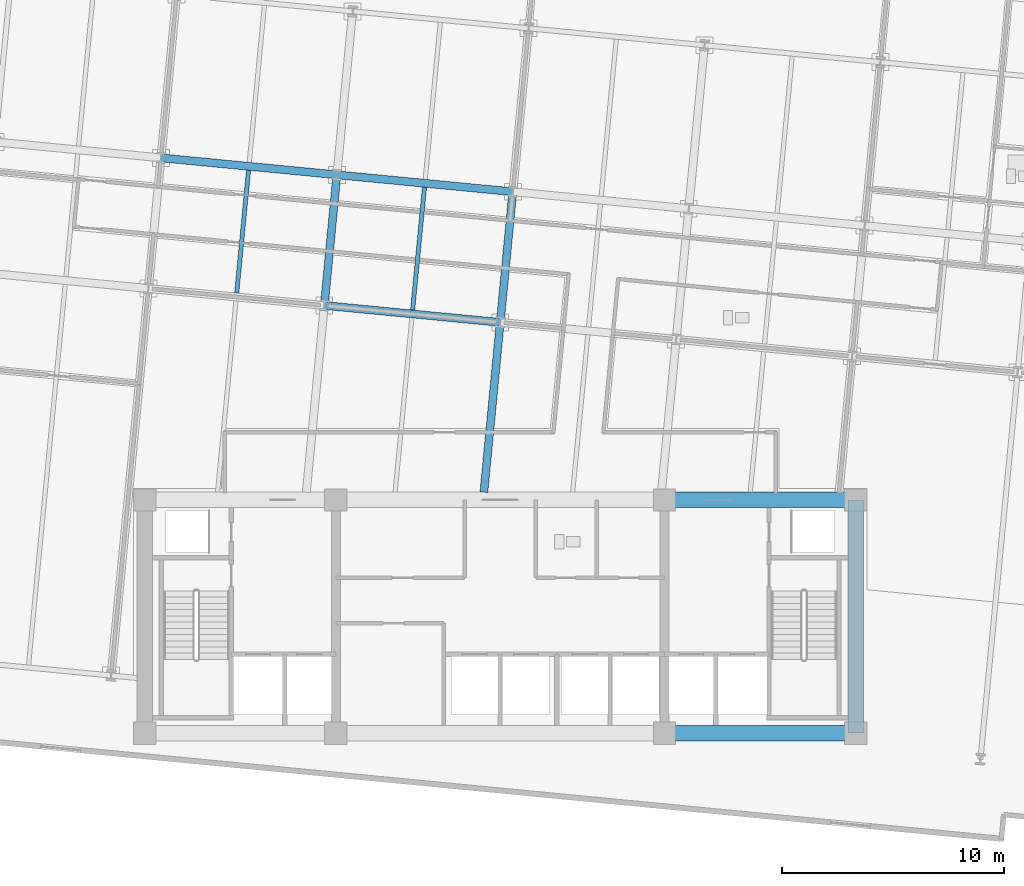
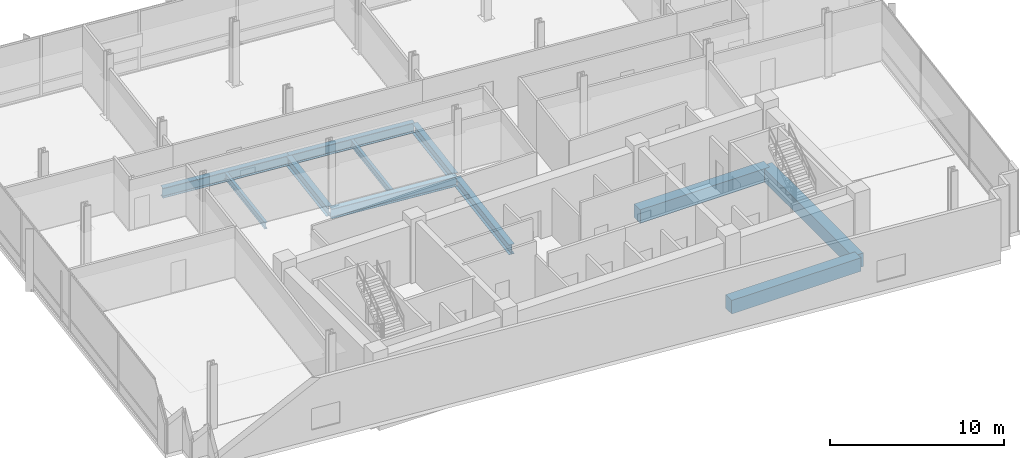
# One storey, part 5 of 17: 11 beams.
"""IFC4 building model written with IfcOpenShell, lengths in metres."""

from ifc_helpers import new_model, si_unit, direction, frame, origin, origin_2d, place, context, subcontext, project, spatial, rectangle, i_section, extrude, material, material_profile, profile_set, type_object, element, save


model = new_model("IFC4")

# Units and contexts
model_context = context("Model", 3, precision=1e-05, world=origin(), true_north=direction((0.0, 1.0)))
body_context = subcontext(model_context, "Body", "Model", "MODEL_VIEW")
ifc_project = project(units=[si_unit("LENGTHUNIT", "METRE"), si_unit("AREAUNIT", "SQUARE_METRE"), si_unit("VOLUMEUNIT", "CUBIC_METRE"), si_unit("PLANEANGLEUNIT", "RADIAN"), si_unit("MASSUNIT", "GRAM", prefix="KILO")], contexts=[model_context])

# Site, building, storey
site_placement = place(None, origin())
site = spatial("IfcSite", under=ifc_project, at=site_placement, CompositionType="ELEMENT")
building_placement = place(site_placement, origin())
building = spatial("IfcBuilding", under=site, at=building_placement, Name="Solmavex Isthmus Hotel", CompositionType="ELEMENT")
storey_placement = place(building_placement, frame((0.0, 0.0, 177.300048828125)))
storey = spatial("IfcBuildingStorey", under=building, at=storey_placement, Name="L48", CompositionType="ELEMENT", Elevation=177.300048828125)

# Beams
ifc_material_1 = material(Name="Steel ASTM A992 Grade 50", Category="steel")
ifc_material_profile_1 = material_profile(ifc_material_1, i_section(OverallWidth=0.354736328125, OverallDepth=0.695556640625, WebThickness=0.015380859375, FlangeThickness=0.02490234375, FilletRadius=0.017822265625, at=origin_2d()), Name="W27X146")
ifc_profile_set_1 = profile_set([ifc_material_profile_1], Name="Steel ASTM A992 Grade 50")
beam_type_1 = type_object("IfcBeamType", Name="BM-BG-W27X146", PredefinedType="BEAM", material=ifc_profile_set_1)
for number, where, z_axis, x_axis, name in (
    (1, (-7.918212890625, 6.2529296875, -0.60791015625), (0.995394512348, -0.095863260885, 0.0), (0.095863260885, 0.995394512348, 0.0), "Floor Girder L48-UG05"),
    (2, (-15.271240234375, 12.896240234375, -0.60791015625), (0.995397440011, -0.095832856685, 0.0), (0.095832856685, 0.995397440011, 0.0), "Floor Girder L48-UG10"),
    (3, (-7.351806640625, 12.1337890625, -0.60791015625), (0.995394512348, -0.095863260885, 0.0), (0.095863260885, 0.995394512348, 0.0), "Floor Girder L48-UG11"),
):
    element("IfcBeam", number, at=place(storey_placement, frame(where, z_axis=z_axis, x_axis=x_axis)), inside=storey, type_object=beam_type_1, Name=name, PredefinedType="BEAM", context=body_context, shape_type="SweptSolid", body=[
        extrude(i_section(OverallWidth=0.354736328125, OverallDepth=0.695556640625, WebThickness=0.015380859375, FlangeThickness=0.02490234375, FilletRadius=0.017822265625, at=origin_2d()), origin(), (0.0, 0.0, 1.0), 7.9560546875),
    ])
beam_1_placement = place(storey_placement, frame((-7.901123046875, 6.429443359375, -0.60791015625), z_axis=(0.095842252862, 0.99539653534, 0.0), x_axis=(-0.99539653534, 0.095842252862, 0.0)))
element("IfcBeam", 4, at=beam_1_placement, inside=storey, type_object=beam_type_1, Name="Floor Beam L48-VG28", PredefinedType="BEAM", context=body_context, shape_type="SweptSolid", body=[
    extrude(i_section(OverallWidth=0.354736328125, OverallDepth=0.695556640625, WebThickness=0.015380859375, FlangeThickness=0.02490234375, FilletRadius=0.017822265625, at=origin_2d()), origin(), (0.0, 0.0, 1.0), 5.55322265625),
])
beam_2_placement = place(storey_placement, frame((-0.734375, -2.14990234375, -0.60791015625), z_axis=(0.095856963455, 0.995395118813, 0.0), x_axis=(-0.995395118813, 0.095856963455, 0.0)))
element("IfcBeam", 5, at=beam_2_placement, inside=storey, type_object=beam_type_1, Name="Floor Beam L48-VG30", PredefinedType="BEAM", context=body_context, shape_type="SweptSolid", body=[
    extrude(i_section(OverallWidth=0.354736328125, OverallDepth=0.695556640625, WebThickness=0.015380859375, FlangeThickness=0.02490234375, FilletRadius=0.017822265625, at=origin_2d()), origin(), (0.0, 0.0, 1.0), 7.498046875),
])
beam_3_placement = place(storey_placement, frame((0.018310546875, 5.6669921875, -0.60791015625), z_axis=(0.095842252862, 0.99539653534, 0.0), x_axis=(-0.99539653534, 0.095842252862, 0.0)))
element("IfcBeam", 6, at=beam_3_placement, inside=storey, type_object=beam_type_1, Name="Floor Beam L48-VG31", PredefinedType="BEAM", context=body_context, shape_type="SweptSolid", body=[
    extrude(i_section(OverallWidth=0.354736328125, OverallDepth=0.695556640625, WebThickness=0.015380859375, FlangeThickness=0.02490234375, FilletRadius=0.017822265625, at=origin_2d()), origin(), (0.0, 0.0, 1.0), 5.55322265625),
])
ifc_material_profile_2 = material_profile(ifc_material_1, i_section(OverallWidth=0.1904296875, OverallDepth=0.456787109375, WebThickness=0.009033203125, FlangeThickness=0.014404296875, FilletRadius=0.0126953125, at=origin_2d()), Name="W18X50")
ifc_profile_set_2 = profile_set([ifc_material_profile_2], Name="Steel ASTM A992 Grade 50")
beam_type_2 = type_object("IfcBeamType", Name="BM-BJ-W18X50", PredefinedType="JOIST", material=ifc_profile_set_2)
beam_4_placement = place(storey_placement, frame((-11.86083984375, 6.810791015625, -0.488525390625), z_axis=(0.095842252862, 0.99539653534, 0.0), x_axis=(-0.99539653534, 0.095842252862, 0.0)))
element("IfcBeam", 7, at=beam_4_placement, inside=storey, type_object=beam_type_2, Name="Secondary Floor Joist L48-J05", PredefinedType="JOIST", context=body_context, shape_type="SweptSolid", body=[
    extrude(i_section(OverallWidth=0.1904296875, OverallDepth=0.456787109375, WebThickness=0.009033203125, FlangeThickness=0.014404296875, FilletRadius=0.0126953125, at=origin_2d()), origin(), (0.0, 0.0, 1.0), 5.55322265625),
])
beam_5_placement = place(storey_placement, frame((-3.94140625, 6.048095703125, -0.488525390625), z_axis=(0.095838058801, 0.995396939158, 0.0), x_axis=(-0.995396939158, 0.095838058801, 0.0)))
element("IfcBeam", 8, at=beam_5_placement, inside=storey, type_object=beam_type_2, Name="Secondary Floor Joist L48-J08", PredefinedType="JOIST", context=body_context, shape_type="SweptSolid", body=[
    extrude(i_section(OverallWidth=0.1904296875, OverallDepth=0.456787109375, WebThickness=0.009033203125, FlangeThickness=0.014404296875, FilletRadius=0.0126953125, at=origin_2d()), origin(), (0.0, 0.0, 1.0), 5.553466796875),
])
ifc_material_2 = material(Name="Concrete C60/75", Category="concrete")
ifc_material_profile_3 = material_profile(ifc_material_2, rectangle(XDim=0.699951171875, YDim=0.949951171875, at=origin_2d()), Name="RC700X950")
ifc_profile_set_3 = profile_set([ifc_material_profile_3], Name="Concrete C60/75")
beam_type_3 = type_object("IfcBeamType", Name="BM-CB-700X950", PredefinedType="BEAM", material=ifc_profile_set_3)
for number, where, z_axis, x_axis, name in (
    (9, (7.39990234375, -13.0, -0.735107421875), (1.0, 0.0, 0.0), (0.0, 1.0, 0.0), "Core Coupling Beam L48-CB3"),
    (10, (7.39990234375, -2.5, -0.735107421875), (1.0, 0.0, 0.0), (0.0, 1.0, 0.0), "Core Coupling Beam L48-CB6"),
):
    element("IfcBeam", number, at=place(storey_placement, frame(where, z_axis=z_axis, x_axis=x_axis)), inside=storey, type_object=beam_type_3, Name=name, PredefinedType="BEAM", context=body_context, shape_type="SweptSolid", body=[
        extrude(rectangle(XDim=0.699951171875, YDim=0.949951171875, at=origin_2d()), origin(), (0.0, 0.0, 1.0), 8.60009765625),
    ])
beam_6_placement = place(storey_placement, frame((16.0, -13.0, -0.735107421875), z_axis=(0.0, 1.0, 0.0), x_axis=(-1.0, 0.0, 0.0)))
element("IfcBeam", 11, at=beam_6_placement, inside=storey, type_object=beam_type_3, Name="Core Coupling Beam L48-CB8", PredefinedType="BEAM", context=body_context, shape_type="SweptSolid", body=[
    extrude(rectangle(XDim=0.699951171875, YDim=0.949951171875, at=origin_2d()), origin(), (0.0, 0.0, 1.0), 10.5),
])

save(model, "model.ifc")
